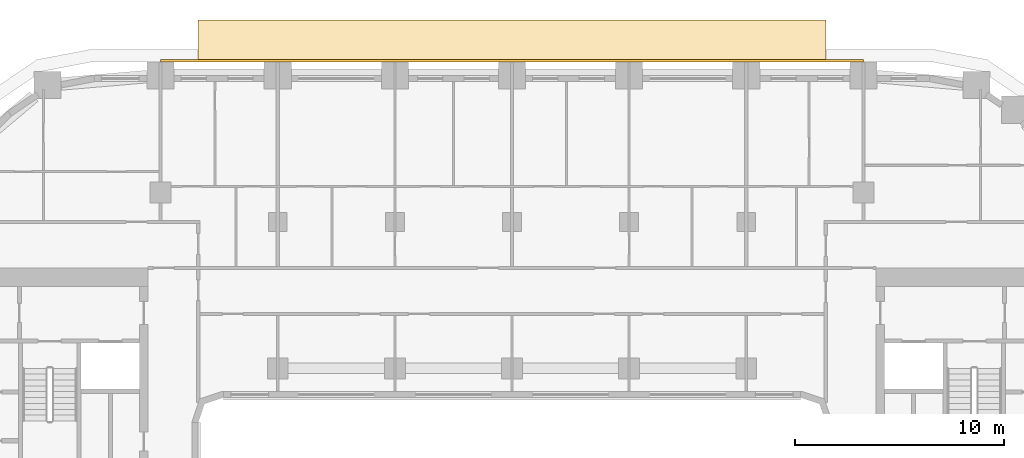
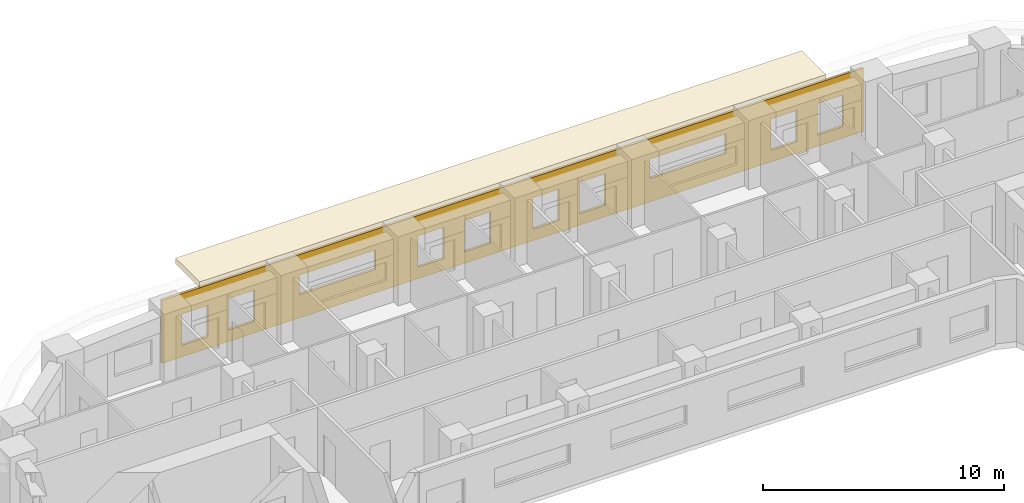
# One storey, part 22 of 23: 2 coverings.
"""IFC4 building model written with IfcOpenShell, lengths in metres."""

from ifc_helpers import new_model, si_unit, direction, frame, origin, place, context, subcontext, project, spatial, polyline, outline, extrude, material, layer, layer_set, type_object, element, save


model = new_model("IFC4")

# Units and contexts
model_context = context("Model", 3, precision=1e-05, world=origin(), true_north=direction((0.0, 1.0)))
body_context = subcontext(model_context, "Body", "Model", "MODEL_VIEW")
ifc_project = project(units=[si_unit("LENGTHUNIT", "METRE"), si_unit("AREAUNIT", "SQUARE_METRE"), si_unit("VOLUMEUNIT", "CUBIC_METRE"), si_unit("PLANEANGLEUNIT", "RADIAN"), si_unit("MASSUNIT", "GRAM", prefix="KILO")], contexts=[model_context])

# Site, building, storey
site_placement = place(None, origin())
site = spatial("IfcSite", under=ifc_project, at=site_placement, CompositionType="ELEMENT")
building_placement = place(site_placement, origin())
building = spatial("IfcBuilding", under=site, at=building_placement, Name="Kiln Ring Residences", CompositionType="ELEMENT")
storey_placement = place(building_placement, frame((0.0, 0.0, 86.800048828125)))
storey = spatial("IfcBuildingStorey", under=building, at=storey_placement, Name="L21", CompositionType="ELEMENT", Elevation=86.800048828125)

# Coverings
ifc_material_1 = material(Name="Brick masonry, dark clay brick", Category="masonry")
ifc_layer_1 = layer(ifc_material_1, 0.1201171875)
ifc_layer_set_1 = layer_set([ifc_layer_1], Name="RAINSCREEN PANEL 120")
covering_type_1 = type_object("IfcCoveringType", Name="RAINSCREEN PANEL 120", PredefinedType="CLADDING", material=ifc_layer_set_1)
covering_1_placement = place(storey_placement, frame((16.800048828125, 23.110107421875, 0.0), z_axis=(0.0, 0.0, 1.0), x_axis=(-1.0, 0.0, 0.0)))
element("IfcCovering", 1, at=covering_1_placement, inside=storey, type_object=covering_type_1, Name="RAINSCREEN L21", PredefinedType="CLADDING", context=body_context, shape_type="SweptSolid", body=[
    extrude(outline(polyline([(0.0, 0.0), (33.60009765625, 0.0), (33.60009765625, 3.199951171875), (0.0, 3.199951171875), (0.0, 0.0)]), holes=[polyline([(0.967529296875, 0.579833984375), (2.20751953125, 0.579833984375), (2.20751953125, 2.169921875), (0.967529296875, 2.169921875), (0.967529296875, 0.579833984375)]), polyline([(3.1923828125, 0.579833984375), (4.4326171875, 0.579833984375), (4.4326171875, 2.169921875), (3.1923828125, 2.169921875), (3.1923828125, 0.579833984375)]), polyline([(12.367431640625, 0.579833984375), (13.607421875, 0.579833984375), (13.607421875, 2.169921875), (12.367431640625, 2.169921875), (12.367431640625, 0.579833984375)]), polyline([(14.592529296875, 2.169921875), (14.592529296875, 0.579833984375), (15.83251953125, 0.579833984375), (15.83251953125, 2.169921875), (14.592529296875, 2.169921875)]), polyline([(17.867431640625, 2.169921875), (17.867431640625, 0.579833984375), (19.107421875, 0.579833984375), (19.107421875, 2.169921875), (17.867431640625, 2.169921875)]), polyline([(20.092529296875, 0.579833984375), (21.33251953125, 0.579833984375), (21.33251953125, 2.169921875), (20.092529296875, 2.169921875), (20.092529296875, 0.579833984375)]), polyline([(29.16748046875, 0.579833984375), (30.407470703125, 0.579833984375), (30.407470703125, 2.169921875), (29.16748046875, 2.169921875), (29.16748046875, 0.579833984375)]), polyline([(31.392578125, 0.579833984375), (32.632568359375, 0.579833984375), (32.632568359375, 2.169921875), (31.392578125, 2.169921875), (31.392578125, 0.579833984375)]), polyline([(6.580078125, 2.169921875), (6.580078125, 1.179931640625), (10.219970703125, 1.179931640625), (10.219970703125, 2.169921875), (6.580078125, 2.169921875)]), polyline([(23.3798828125, 2.169921875), (23.3798828125, 1.179931640625), (27.02001953125, 1.179931640625), (27.02001953125, 2.169921875), (23.3798828125, 2.169921875)])]), frame((0.0, 0.06005859375, 0.0), z_axis=(0.0, -1.0, 0.0), x_axis=(1.0, 0.0, 0.0)), (0.0, 0.0, 1.0), 0.1201171875),
])
ifc_material_2 = material(Name="Black powder-coated steel", Category="steel")
ifc_layer_2 = layer(ifc_material_2, 0.300048828125)
ifc_layer_set_2 = layer_set([ifc_layer_2], Name="SUNSHADE BAND 2000")
covering_type_2 = type_object("IfcCoveringType", Name="SUNSHADE BAND 2000", PredefinedType="CLADDING", material=ifc_layer_set_2)
covering_2_placement = place(storey_placement, frame((0.0, 0.0, 3.199951171875)))
element("IfcCovering", 2, at=covering_2_placement, inside=storey, type_object=covering_type_2, Name="SUNSHADE BAND L21", PredefinedType="CLADDING", context=body_context, shape_type="SweptSolid", body=[
    extrude(outline(polyline([(15.0, 25.050048828125), (-15.0, 25.050048828125), (-15.0, 23.050048828125), (15.0, 23.050048828125), (15.0, 25.050048828125)])), origin(), (0.0, 0.0, 1.0), 0.300048828125),
])

save(model, "model.ifc")
